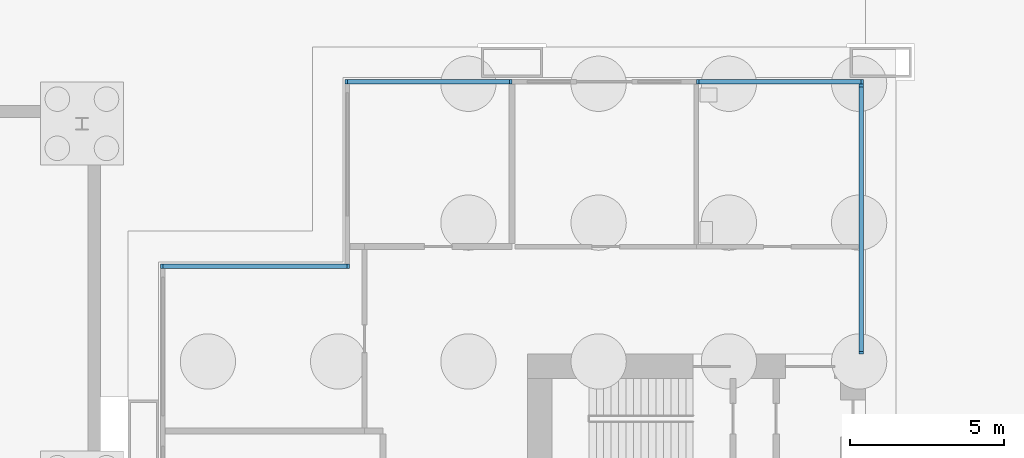
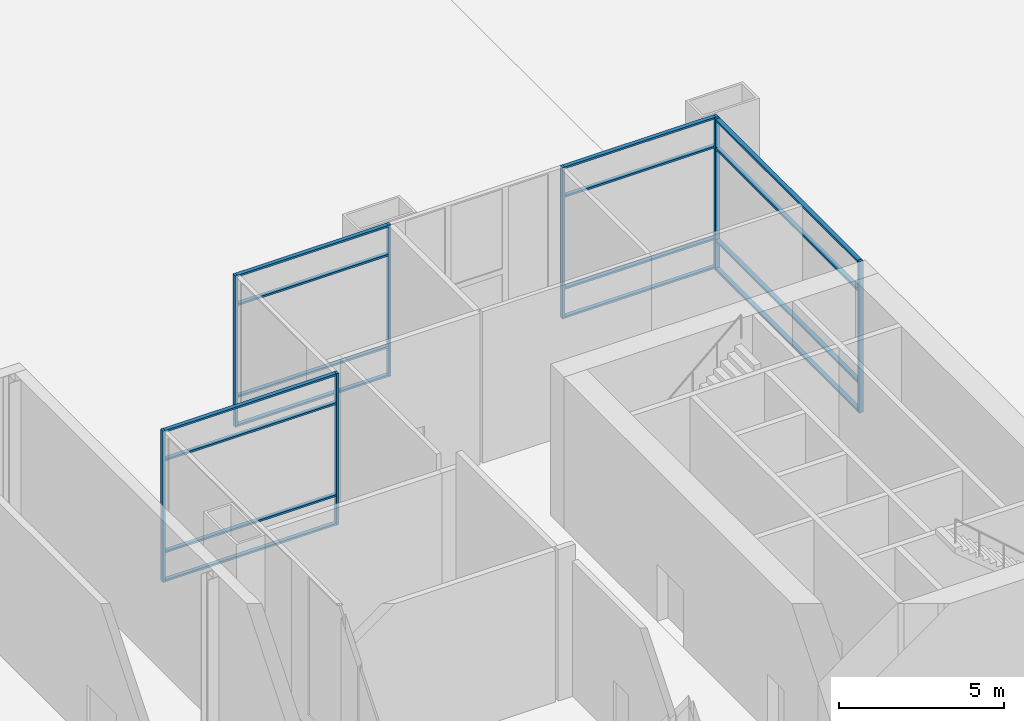
# One storey, part 13 of 29: 24 members, 4 elements without a shape of their own.
"""IFC4 building model written with IfcOpenShell, lengths in metres."""

from ifc_helpers import new_model, si_unit, direction, frame, origin, origin_2d, place, context, subcontext, project, spatial, rectangle, extrude, material, material_profile, profile_set, type_object, element, aggregate, save


model = new_model("IFC4")

# Units and contexts
model_context = context("Model", 3, precision=1e-05, world=origin(), true_north=direction((0.0, 1.0)))
body_context = subcontext(model_context, "Body", "Model", "MODEL_VIEW")
ifc_project = project(units=[si_unit("LENGTHUNIT", "METRE"), si_unit("AREAUNIT", "SQUARE_METRE"), si_unit("VOLUMEUNIT", "CUBIC_METRE"), si_unit("PLANEANGLEUNIT", "RADIAN"), si_unit("MASSUNIT", "GRAM", prefix="KILO")], contexts=[model_context])

# Site, building, storey
site_placement = place(None, origin())
site = spatial("IfcSite", under=ifc_project, at=site_placement, CompositionType="ELEMENT")
building_placement = place(site_placement, origin())
building = spatial("IfcBuilding", under=site, at=building_placement, Name="Kitamizu Gate Tower and Museum", CompositionType="ELEMENT")
storey_placement = place(building_placement, origin())
storey = spatial("IfcBuildingStorey", under=building, at=storey_placement, Name="L00", CompositionType="ELEMENT", Elevation=0.0)

# Curtain wall, members
ifc_material_1 = material(Name="Bronze anodised aluminium frame, tinted triple glazing", Category="aluminium")
curtain_wall_type_1 = type_object("IfcCurtainWallType", Name="CURTAIN WALL TYPE E PODIUM PLAZA", PredefinedType="NOTDEFINED", material=ifc_material_1)
curtain_wall_1_placement = place(storey_placement, origin())
curtain_wall_1 = element("IfcCurtainWall", 1, at=curtain_wall_1_placement, inside=storey, type_object=curtain_wall_type_1, Name="Curtain wall CW-E north L00", PredefinedType="NOTDEFINED")
ifc_material_2 = material(Name="Bronze anodised aluminium", Category="aluminium")
ifc_material_profile_1 = material_profile(ifc_material_2, rectangle(XDim=0.080078125, YDim=0.14990234375, at=origin_2d()), Name="AL 80X150")
ifc_profile_set_1 = profile_set([ifc_material_profile_1], Name="Bronze anodised aluminium")
member_type_1 = type_object("IfcMemberType", Name="MULLION 80 X 150 TYPE E", PredefinedType="MULLION", material=ifc_profile_set_1)
member_1_placement = place(storey_placement, frame((6.60009765625, 47.364990234375, 0.0), z_axis=(0.0, 0.0, 1.0), x_axis=(1.0, 0.0, 0.0)))
member_1 = element("IfcMember", 2, at=member_1_placement, type_object=member_type_1, Name="CW-E mullion 1", PredefinedType="MULLION", context=body_context, shape_type="SweptSolid", body=[
    extrude(rectangle(XDim=0.080078125, YDim=0.14990234375, at=origin_2d()), origin(), (0.0, 0.0, 1.0), 5.60009765625),
])
member_2_placement = place(storey_placement, frame((11.9599609375, 47.364990234375, 0.0), z_axis=(0.0, 0.0, 1.0), x_axis=(1.0, 0.0, 0.0)))
member_2 = element("IfcMember", 3, at=member_2_placement, type_object=member_type_1, Name="CW-E mullion 2", PredefinedType="MULLION", context=body_context, shape_type="SweptSolid", body=[
    extrude(rectangle(XDim=0.080078125, YDim=0.14990234375, at=origin_2d()), origin(), (0.0, 0.0, 1.0), 5.60009765625),
])

curtain_wall_2_placement = place(storey_placement, origin())
curtain_wall_2 = element("IfcCurtainWall", 4, at=curtain_wall_2_placement, inside=storey, type_object=curtain_wall_type_1, Name="Curtain wall CW-E north L00", PredefinedType="NOTDEFINED")
member_3_placement = place(storey_placement, frame((18.0400390625, 47.364990234375, 0.0), z_axis=(0.0, 0.0, 1.0), x_axis=(1.0, 0.0, 0.0)))
member_3 = element("IfcMember", 5, at=member_3_placement, type_object=member_type_1, Name="CW-E mullion 1", PredefinedType="MULLION", context=body_context, shape_type="SweptSolid", body=[
    extrude(rectangle(XDim=0.080078125, YDim=0.14990234375, at=origin_2d()), origin(), (0.0, 0.0, 1.0), 5.60009765625),
])
member_4_placement = place(storey_placement, frame((23.39990234375, 47.364990234375, 0.0), z_axis=(0.0, 0.0, 1.0), x_axis=(1.0, 0.0, 0.0)))
member_4 = element("IfcMember", 6, at=member_4_placement, type_object=member_type_1, Name="CW-E mullion 2", PredefinedType="MULLION", context=body_context, shape_type="SweptSolid", body=[
    extrude(rectangle(XDim=0.080078125, YDim=0.14990234375, at=origin_2d()), origin(), (0.0, 0.0, 1.0), 5.60009765625),
])

curtain_wall_3_placement = place(storey_placement, origin())
curtain_wall_3 = element("IfcCurtainWall", 7, at=curtain_wall_3_placement, inside=storey, type_object=curtain_wall_type_1, Name="Curtain wall CW-E north L00", PredefinedType="NOTDEFINED")
member_5_placement = place(storey_placement, frame((0.60009765625, 41.364990234375, 0.0), z_axis=(0.0, 0.0, 1.0), x_axis=(1.0, 0.0, 0.0)))
member_5 = element("IfcMember", 8, at=member_5_placement, type_object=member_type_1, Name="CW-E mullion 1", PredefinedType="MULLION", context=body_context, shape_type="SweptSolid", body=[
    extrude(rectangle(XDim=0.080078125, YDim=0.14990234375, at=origin_2d()), origin(), (0.0, 0.0, 1.0), 5.60009765625),
])
member_6_placement = place(storey_placement, frame((6.669921875, 41.364990234375, 0.0), z_axis=(0.0, 0.0, 1.0), x_axis=(1.0, 0.0, 0.0)))
member_6 = element("IfcMember", 9, at=member_6_placement, type_object=member_type_1, Name="CW-E mullion 2", PredefinedType="MULLION", context=body_context, shape_type="SweptSolid", body=[
    extrude(rectangle(XDim=0.080078125, YDim=0.14990234375, at=origin_2d()), origin(), (0.0, 0.0, 1.0), 5.60009765625),
])

ifc_material_3 = material(Name="Bronze anodised aluminium frame, tinted triple glazing", Category="aluminium")
curtain_wall_type_2 = type_object("IfcCurtainWallType", Name="CURTAIN WALL TYPE A PODIUM", PredefinedType="NOTDEFINED", material=ifc_material_3)
curtain_wall_4_placement = place(storey_placement, origin())
curtain_wall_4 = element("IfcCurtainWall", 10, at=curtain_wall_4_placement, inside=storey, type_object=curtain_wall_type_2, Name="Curtain wall CW-A east L00", PredefinedType="NOTDEFINED")
ifc_material_4 = material(Name="Bronze anodised aluminium", Category="aluminium")
ifc_material_profile_2 = material_profile(ifc_material_4, rectangle(XDim=0.090087890625, YDim=0.14990234375, at=origin_2d()), Name="AL 90X150")
ifc_profile_set_2 = profile_set([ifc_material_profile_2], Name="Bronze anodised aluminium")
member_type_2 = type_object("IfcMemberType", Name="MULLION 90 X 150 TYPE A", PredefinedType="MULLION", material=ifc_profile_set_2)
member_7_placement = place(storey_placement, frame((23.364990234375, 38.544921875, 0.0), z_axis=(0.0, 0.0, 1.0), x_axis=(0.0, 1.0, 0.0)))
member_7 = element("IfcMember", 11, at=member_7_placement, type_object=member_type_2, Name="CW-A mullion 1", PredefinedType="MULLION", context=body_context, shape_type="SweptSolid", body=[
    extrude(rectangle(XDim=0.090087890625, YDim=0.14990234375, at=origin_2d()), origin(), (0.0, 0.0, 1.0), 5.60009765625),
])
member_8_placement = place(storey_placement, frame((23.364990234375, 47.2451171875, 0.0), z_axis=(0.0, 0.0, 1.0), x_axis=(0.0, 1.0, 0.0)))
member_8 = element("IfcMember", 12, at=member_8_placement, type_object=member_type_2, Name="CW-A mullion 2", PredefinedType="MULLION", context=body_context, shape_type="SweptSolid", body=[
    extrude(rectangle(XDim=0.090087890625, YDim=0.14990234375, at=origin_2d()), origin(), (0.0, 0.0, 1.0), 5.60009765625),
])

# Member
ifc_material_5 = material(Name="Bronze anodised aluminium", Category="aluminium")
ifc_material_profile_3 = material_profile(ifc_material_5, rectangle(XDim=0.139892578125, YDim=0.070068359375, at=origin_2d()), Name="AL 70X140")
ifc_profile_set_3 = profile_set([ifc_material_profile_3], Name="Bronze anodised aluminium")
member_type_3 = type_object("IfcMemberType", Name="TRANSOM 70 X 140 TYPE E", PredefinedType="USERDEFINED", material=ifc_profile_set_3)
member_9_placement = place(storey_placement, frame((6.639892578125, 47.364990234375, 0.034912109375), z_axis=(1.0, 0.0, 0.0), x_axis=(0.0, 1.0, 0.0)))
member_9 = element("IfcMember", 13, at=member_9_placement, type_object=member_type_3, Name="CW-E transom 1.1", ObjectType="TRANSOM", PredefinedType="USERDEFINED", context=body_context, shape_type="SweptSolid", body=[
    extrude(rectangle(XDim=0.139892578125, YDim=0.070068359375, at=origin_2d()), origin(), (0.0, 0.0, 1.0), 5.280029296875),
])

member_10_placement = place(storey_placement, frame((6.639892578125, 47.364990234375, 1.10009765625), z_axis=(1.0, 0.0, 0.0), x_axis=(0.0, 1.0, 0.0)))
member_10 = element("IfcMember", 14, at=member_10_placement, type_object=member_type_3, Name="CW-E transom 1.2", ObjectType="TRANSOM", PredefinedType="USERDEFINED", context=body_context, shape_type="SweptSolid", body=[
    extrude(rectangle(XDim=0.139892578125, YDim=0.070068359375, at=origin_2d()), origin(), (0.0, 0.0, 1.0), 5.280029296875),
])

member_11_placement = place(storey_placement, frame((6.639892578125, 47.364990234375, 4.5), z_axis=(1.0, 0.0, 0.0), x_axis=(0.0, 1.0, 0.0)))
member_11 = element("IfcMember", 15, at=member_11_placement, type_object=member_type_3, Name="CW-E transom 1.3", ObjectType="TRANSOM", PredefinedType="USERDEFINED", context=body_context, shape_type="SweptSolid", body=[
    extrude(rectangle(XDim=0.139892578125, YDim=0.070068359375, at=origin_2d()), origin(), (0.0, 0.0, 1.0), 5.280029296875),
])

member_12_placement = place(storey_placement, frame((6.639892578125, 47.364990234375, 5.56494140625), z_axis=(1.0, 0.0, 0.0), x_axis=(0.0, 1.0, 0.0)))
member_12 = element("IfcMember", 16, at=member_12_placement, type_object=member_type_3, Name="CW-E transom 1.4", ObjectType="TRANSOM", PredefinedType="USERDEFINED", context=body_context, shape_type="SweptSolid", body=[
    extrude(rectangle(XDim=0.139892578125, YDim=0.070068359375, at=origin_2d()), origin(), (0.0, 0.0, 1.0), 5.280029296875),
])

aggregate(curtain_wall_1, [member_1, member_2, member_9, member_10, member_11, member_12])

member_13_placement = place(storey_placement, frame((18.080078125, 47.364990234375, 0.034912109375), z_axis=(1.0, 0.0, 0.0), x_axis=(0.0, 1.0, 0.0)))
member_13 = element("IfcMember", 17, at=member_13_placement, type_object=member_type_3, Name="CW-E transom 1.1", ObjectType="TRANSOM", PredefinedType="USERDEFINED", context=body_context, shape_type="SweptSolid", body=[
    extrude(rectangle(XDim=0.139892578125, YDim=0.070068359375, at=origin_2d()), origin(), (0.0, 0.0, 1.0), 5.280029296875),
])

member_14_placement = place(storey_placement, frame((18.080078125, 47.364990234375, 1.10009765625), z_axis=(1.0, 0.0, 0.0), x_axis=(0.0, 1.0, 0.0)))
member_14 = element("IfcMember", 18, at=member_14_placement, type_object=member_type_3, Name="CW-E transom 1.2", ObjectType="TRANSOM", PredefinedType="USERDEFINED", context=body_context, shape_type="SweptSolid", body=[
    extrude(rectangle(XDim=0.139892578125, YDim=0.070068359375, at=origin_2d()), origin(), (0.0, 0.0, 1.0), 5.280029296875),
])

member_15_placement = place(storey_placement, frame((18.080078125, 47.364990234375, 4.5), z_axis=(1.0, 0.0, 0.0), x_axis=(0.0, 1.0, 0.0)))
member_15 = element("IfcMember", 19, at=member_15_placement, type_object=member_type_3, Name="CW-E transom 1.3", ObjectType="TRANSOM", PredefinedType="USERDEFINED", context=body_context, shape_type="SweptSolid", body=[
    extrude(rectangle(XDim=0.139892578125, YDim=0.070068359375, at=origin_2d()), origin(), (0.0, 0.0, 1.0), 5.280029296875),
])

member_16_placement = place(storey_placement, frame((18.080078125, 47.364990234375, 5.56494140625), z_axis=(1.0, 0.0, 0.0), x_axis=(0.0, 1.0, 0.0)))
member_16 = element("IfcMember", 20, at=member_16_placement, type_object=member_type_3, Name="CW-E transom 1.4", ObjectType="TRANSOM", PredefinedType="USERDEFINED", context=body_context, shape_type="SweptSolid", body=[
    extrude(rectangle(XDim=0.139892578125, YDim=0.070068359375, at=origin_2d()), origin(), (0.0, 0.0, 1.0), 5.280029296875),
])

aggregate(curtain_wall_2, [member_3, member_4, member_13, member_14, member_15, member_16])

member_17_placement = place(storey_placement, frame((0.639892578125, 41.364990234375, 0.034912109375), z_axis=(1.0, 0.0, 0.0), x_axis=(0.0, 1.0, 0.0)))
member_17 = element("IfcMember", 21, at=member_17_placement, type_object=member_type_3, Name="CW-E transom 1.1", ObjectType="TRANSOM", PredefinedType="USERDEFINED", context=body_context, shape_type="SweptSolid", body=[
    extrude(rectangle(XDim=0.139892578125, YDim=0.070068359375, at=origin_2d()), origin(), (0.0, 0.0, 1.0), 5.989990234375),
])

member_18_placement = place(storey_placement, frame((0.639892578125, 41.364990234375, 1.10009765625), z_axis=(1.0, 0.0, 0.0), x_axis=(0.0, 1.0, 0.0)))
member_18 = element("IfcMember", 22, at=member_18_placement, type_object=member_type_3, Name="CW-E transom 1.2", ObjectType="TRANSOM", PredefinedType="USERDEFINED", context=body_context, shape_type="SweptSolid", body=[
    extrude(rectangle(XDim=0.139892578125, YDim=0.070068359375, at=origin_2d()), origin(), (0.0, 0.0, 1.0), 5.989990234375),
])

member_19_placement = place(storey_placement, frame((0.639892578125, 41.364990234375, 4.5), z_axis=(1.0, 0.0, 0.0), x_axis=(0.0, 1.0, 0.0)))
member_19 = element("IfcMember", 23, at=member_19_placement, type_object=member_type_3, Name="CW-E transom 1.3", ObjectType="TRANSOM", PredefinedType="USERDEFINED", context=body_context, shape_type="SweptSolid", body=[
    extrude(rectangle(XDim=0.139892578125, YDim=0.070068359375, at=origin_2d()), origin(), (0.0, 0.0, 1.0), 5.989990234375),
])

member_20_placement = place(storey_placement, frame((0.639892578125, 41.364990234375, 5.56494140625), z_axis=(1.0, 0.0, 0.0), x_axis=(0.0, 1.0, 0.0)))
member_20 = element("IfcMember", 24, at=member_20_placement, type_object=member_type_3, Name="CW-E transom 1.4", ObjectType="TRANSOM", PredefinedType="USERDEFINED", context=body_context, shape_type="SweptSolid", body=[
    extrude(rectangle(XDim=0.139892578125, YDim=0.070068359375, at=origin_2d()), origin(), (0.0, 0.0, 1.0), 5.989990234375),
])

aggregate(curtain_wall_3, [member_5, member_6, member_17, member_18, member_19, member_20])

ifc_material_6 = material(Name="Bronze anodised aluminium", Category="aluminium")
ifc_material_profile_4 = material_profile(ifc_material_6, rectangle(XDim=0.14990234375, YDim=0.080078125, at=origin_2d()), Name="AL 80X150")
ifc_profile_set_4 = profile_set([ifc_material_profile_4], Name="Bronze anodised aluminium")
member_type_4 = type_object("IfcMemberType", Name="TRANSOM 80 X 150 TYPE A", PredefinedType="USERDEFINED", material=ifc_profile_set_4)
member_21_placement = place(storey_placement, frame((23.364990234375, 38.590087890625, 0.0400390625), z_axis=(0.0, 1.0, 0.0), x_axis=(-1.0, 0.0, 0.0)))
member_21 = element("IfcMember", 25, at=member_21_placement, type_object=member_type_4, Name="CW-A transom 1.1", ObjectType="TRANSOM", PredefinedType="USERDEFINED", context=body_context, shape_type="SweptSolid", body=[
    extrude(rectangle(XDim=0.14990234375, YDim=0.080078125, at=origin_2d()), origin(), (0.0, 0.0, 1.0), 8.60986328125),
])

member_22_placement = place(storey_placement, frame((23.364990234375, 38.590087890625, 1.10009765625), z_axis=(0.0, 1.0, 0.0), x_axis=(-1.0, 0.0, 0.0)))
member_22 = element("IfcMember", 26, at=member_22_placement, type_object=member_type_4, Name="CW-A transom 1.2", ObjectType="TRANSOM", PredefinedType="USERDEFINED", context=body_context, shape_type="SweptSolid", body=[
    extrude(rectangle(XDim=0.14990234375, YDim=0.080078125, at=origin_2d()), origin(), (0.0, 0.0, 1.0), 8.60986328125),
])

member_23_placement = place(storey_placement, frame((23.364990234375, 38.590087890625, 4.5), z_axis=(0.0, 1.0, 0.0), x_axis=(-1.0, 0.0, 0.0)))
member_23 = element("IfcMember", 27, at=member_23_placement, type_object=member_type_4, Name="CW-A transom 1.3", ObjectType="TRANSOM", PredefinedType="USERDEFINED", context=body_context, shape_type="SweptSolid", body=[
    extrude(rectangle(XDim=0.14990234375, YDim=0.080078125, at=origin_2d()), origin(), (0.0, 0.0, 1.0), 8.60986328125),
])

member_24_placement = place(storey_placement, frame((23.364990234375, 38.590087890625, 5.56005859375), z_axis=(0.0, 1.0, 0.0), x_axis=(-1.0, 0.0, 0.0)))
member_24 = element("IfcMember", 28, at=member_24_placement, type_object=member_type_4, Name="CW-A transom 1.4", ObjectType="TRANSOM", PredefinedType="USERDEFINED", context=body_context, shape_type="SweptSolid", body=[
    extrude(rectangle(XDim=0.14990234375, YDim=0.080078125, at=origin_2d()), origin(), (0.0, 0.0, 1.0), 8.60986328125),
])

aggregate(curtain_wall_4, [member_7, member_8, member_21, member_22, member_23, member_24])

save(model, "model.ifc")
